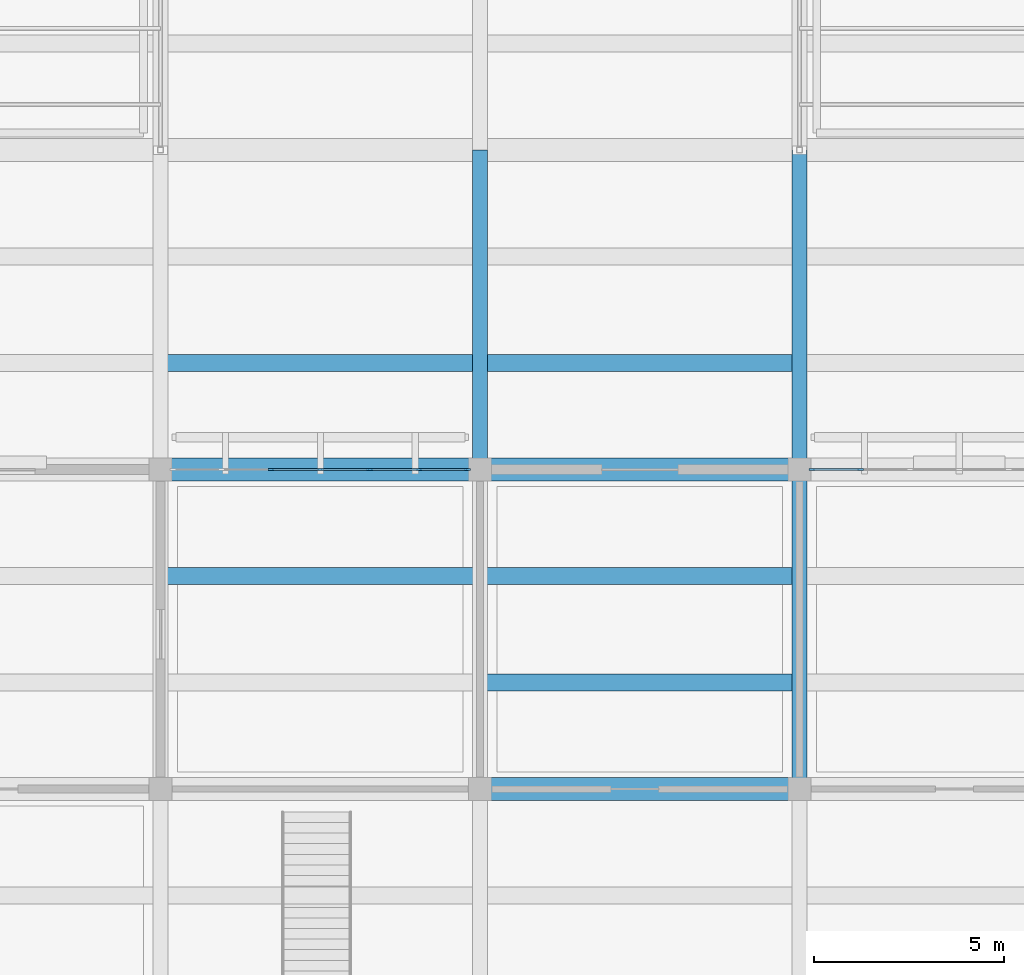
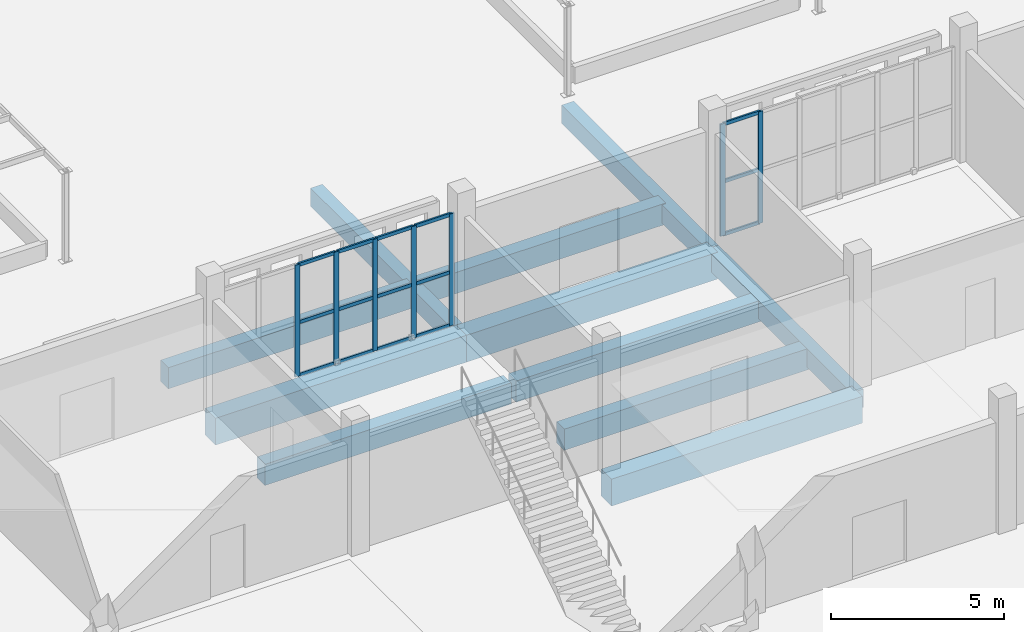
# One storey, part 10 of 129: 22 members, 11 beams, 2 elements without a shape of their own.
"""IFC4 building model written with IfcOpenShell, lengths in metres."""

import ifcopenshell
import ifcopenshell.guid

model = None  # the IFC model being written
_history = None  # IfcOwnerHistory: only IFC2X3 demands one
_inside = {}  # id of a spatial element -> (the spatial element, [elements in it])
_under = {}  # id of a project, library or spatial element -> (it, [spatial elements below it])
_declared = {}  # id of a project -> (the project, [libraries it declares])
_typed = {}  # id of a type object -> (the type object, [elements of that type])
_made_of = {}  # id of a material, layer set ... -> (it, [elements and type objects made of it])


def new_model(schema):
    """Start an empty IFC model of exactly this schema.

    Asked for "IFC4X3", IfcOpenShell would pick the latest addendum, in which some entities
    have other attributes; the version numbers below select the first issue.
    IFC2X3 requires an IfcOwnerHistory on every rooted entity: one is made here for all.
    """
    global model, _history
    if schema == "IFC4X3":
        model = ifcopenshell.file(schema_version=(4, 3, 0, 0))
    else:
        model = ifcopenshell.file(schema=schema)
    _inside.clear()
    _under.clear()
    _declared.clear()
    _typed.clear()
    _made_of.clear()
    _history = None
    if model.schema == "IFC2X3":
        org = make("IfcOrganization", Name="unknown")
        user = make(
            "IfcPersonAndOrganization",
            ThePerson=make("IfcPerson", FamilyName="unknown"),
            TheOrganization=org,
        )
        app = make(
            "IfcApplication",
            ApplicationDeveloper=org,
            Version="unknown",
            ApplicationFullName="unknown",
            ApplicationIdentifier="unknown",
        )
        _history = make(
            "IfcOwnerHistory",
            OwningUser=user,
            OwningApplication=app,
            ChangeAction="ADDED",
            CreationDate=0,
        )
    return model


def make(cls, **values):
    """One entity of the class cls with the attributes given. An attribute that is None is left unset."""
    return model.create_entity(
        cls, **{name: value for name, value in values.items() if value is not None}
    )


def rooted(cls, **values):
    """An entity with a GlobalId (a new one), such as an element, a storey or a relation."""
    return make(cls, GlobalId=ifcopenshell.guid.new(), OwnerHistory=_history, **values)


def si_unit(unit_type, name, prefix=None):
    """IfcSIUnit, for example si_unit("LENGTHUNIT", "METRE", prefix="MILLI")."""
    return make("IfcSIUnit", UnitType=unit_type, Prefix=prefix, Name=name)


def assignment(units):
    """IfcUnitAssignment: the units of a project."""
    return None if units is None else make("IfcUnitAssignment", Units=units)


def point(xyz):
    """IfcCartesianPoint."""
    return None if xyz is None else make("IfcCartesianPoint", Coordinates=xyz)


def direction(xyz):
    """IfcDirection."""
    return None if xyz is None else make("IfcDirection", DirectionRatios=xyz)


def frame(location, z_axis=None, x_axis=None):
    """IfcAxis2Placement3D, a coordinate frame: its origin and axes. An axis left out is left unset."""
    return make(
        "IfcAxis2Placement3D",
        Location=point(location),
        Axis=direction(z_axis),
        RefDirection=direction(x_axis),
    )


def frame_2d(location, x_axis=None):
    """IfcAxis2Placement2D, a coordinate frame in the plane: its origin and x axis."""
    return make(
        "IfcAxis2Placement2D", Location=point(location), RefDirection=direction(x_axis)
    )


def origin():
    """The frame at (0, 0, 0) with its axes left unset."""
    return frame((0.0, 0.0, 0.0))


def origin_2d():
    """The frame at (0, 0) in the plane with its x axis left unset."""
    return frame_2d((0.0, 0.0))


def place(relative_to, where):
    """IfcLocalPlacement: puts the frame where relative to a parent placement (None: the world)."""
    return make(
        "IfcLocalPlacement", PlacementRelTo=relative_to, RelativePlacement=where
    )


def context(
    kind, dimensions, precision=None, world=None, true_north=None, identifier=None
):
    """IfcGeometricRepresentationContext, for example the 3D "Model" context."""
    return make(
        "IfcGeometricRepresentationContext",
        ContextIdentifier=identifier,
        ContextType=kind,
        CoordinateSpaceDimension=dimensions,
        Precision=precision,
        WorldCoordinateSystem=world,
        TrueNorth=true_north,
    )


def subcontext(parent, identifier, kind, view, scale=None):
    """IfcGeometricRepresentationSubContext, for example "Body" below "Model"."""
    return make(
        "IfcGeometricRepresentationSubContext",
        ContextIdentifier=identifier,
        ContextType=kind,
        ParentContext=parent,
        TargetScale=scale,
        TargetView=view,
    )


def project(units=None, contexts=None):
    """IfcProject with its units and contexts."""
    return rooted(
        "IfcProject",
        Name="project",
        RepresentationContexts=contexts,
        UnitsInContext=assignment(units),
    )


def spatial(cls, under=None, at=None, **own):
    """A site, building, storey or space (cls), placed at a placement, below another one or the project."""
    s = rooted(cls, ObjectPlacement=at, **own)
    if under is not None:
        _under.setdefault(under.id(), (under, []))[1].append(s)
    return s


def profile(cls, at=None, kind="AREA", **sizes):
    """A parametric profile (cls). Its sizes go by their IFC names, for example OverallWidth=200.0."""
    return make(cls, ProfileType=kind, Position=at, **sizes)


def rectangle(**sizes):
    """IfcRectangleProfileDef."""
    return profile("IfcRectangleProfileDef", **sizes)


def extrude(swept, where, along, depth):
    """IfcExtrudedAreaSolid: the profile swept, set in the frame where, extruded along a direction by depth."""
    return make(
        "IfcExtrudedAreaSolid",
        SweptArea=swept,
        Position=where,
        ExtrudedDirection=direction(along),
        Depth=depth,
    )


def shape(context_of_items, identifier, shape_type, items):
    """IfcShapeRepresentation: the items that make up one representation, for example the "Body"."""
    return make(
        "IfcShapeRepresentation",
        ContextOfItems=context_of_items,
        RepresentationIdentifier=identifier,
        RepresentationType=shape_type,
        Items=items,
    )


def material(Name=None, Category=None):
    """IfcMaterial."""
    return make("IfcMaterial", Name=Name, Category=Category)


def layer(
    of_material, thickness, ventilated=None, Name=None, Category=None, Priority=None
):
    """IfcMaterialLayer: one layer of a wall or slab, of a material (None: an air gap)."""
    return make(
        "IfcMaterialLayer",
        Material=of_material,
        LayerThickness=thickness,
        IsVentilated=ventilated,
        Name=Name,
        Category=Category,
        Priority=Priority,
    )


def layer_set(layers, Name=None):
    """IfcMaterialLayerSet."""
    return make("IfcMaterialLayerSet", MaterialLayers=layers, LayerSetName=Name)


def material_profile(
    of_material, cross_section, Name=None, Category=None, Priority=None
):
    """IfcMaterialProfile: a cross section and its material."""
    return make(
        "IfcMaterialProfile",
        Name=Name,
        Material=of_material,
        Profile=cross_section,
        Priority=Priority,
        Category=Category,
    )


def profile_set(profiles, Name=None, composite=None):
    """IfcMaterialProfileSet."""
    return make(
        "IfcMaterialProfileSet",
        Name=Name,
        MaterialProfiles=profiles,
        CompositeProfile=composite,
    )


def made_of(thing, what):
    """Note that an element or type object is made of a material, layer set ...; save() writes the relation."""
    if what is not None:
        _made_of.setdefault(what.id(), (what, []))[1].append(thing)
    return thing


def type_object(cls, material=None, **own):
    """A type object (cls), such as IfcWallType, which elements share."""
    return made_of(rooted(cls, **own), material)


def element(
    cls,
    number,
    at=None,
    inside=None,
    cuts=None,
    type_object=None,
    material=None,
    context=None,
    identifier="Body",
    shape_type=None,
    held_by="IfcProductDefinitionShape",
    body=None,
    shapes=None,
    **own,
):
    """One element of the class cls, such as IfcWall. Its Tag is "e" and its number.

    at: its placement. inside: the storey or other place that contains it. cuts: it is an
    opening in that element (IfcRelVoidsElement). A single representation is given by context,
    identifier, shape_type and body (its items); several are given by shapes. held_by: the class
    of the entity that holds the representations. save() writes the other relations.
    """
    e = rooted(cls, Tag="e%d" % number, ObjectPlacement=at, **own)
    if body is not None:
        shapes = [shape(context, identifier, shape_type, body)]
    if shapes is not None:
        e.Representation = make(held_by, Representations=shapes)
    if inside is not None:
        _inside.setdefault(inside.id(), (inside, []))[1].append(e)
    if cuts is not None:
        rooted(
            "IfcRelVoidsElement", RelatingBuildingElement=cuts, RelatedOpeningElement=e
        )
    if type_object is not None:
        _typed.setdefault(type_object.id(), (type_object, []))[1].append(e)
    return made_of(e, material)


def aggregate(whole, parts):
    """IfcRelAggregates: a whole, such as a stair, and the parts it consists of."""
    return rooted("IfcRelAggregates", RelatingObject=whole, RelatedObjects=parts)


def save(model, path):
    """Write the relations noted so far, then the file.

    IfcRelAggregates (storeys below a building ...), IfcRelContainedInSpatialStructure (elements
    in a storey), IfcRelDefinesByType, IfcRelAssociatesMaterial and IfcRelDeclares: one each for
    every whole, place, type object, material and project.
    """
    for whole, parts in _under.values():
        aggregate(whole, parts)
    for where, things in _inside.values():
        rooted(
            "IfcRelContainedInSpatialStructure",
            RelatedElements=things,
            RelatingStructure=where,
        )
    for kind, things in _typed.values():
        rooted("IfcRelDefinesByType", RelatedObjects=things, RelatingType=kind)
    for what, things in _made_of.values():
        rooted("IfcRelAssociatesMaterial", RelatedObjects=things, RelatingMaterial=what)
    for by, libraries in _declared.values():
        rooted("IfcRelDeclares", RelatingContext=by, RelatedDefinitions=libraries)
    model.write(path)


model = new_model("IFC4")

# Units and contexts
model_context = context("Model", 3, precision=1e-05, world=origin(), true_north=direction((0.0, 1.0)))
body_context = subcontext(model_context, "Body", "Model", "MODEL_VIEW")
ifc_project = project(units=[si_unit("LENGTHUNIT", "METRE"), si_unit("AREAUNIT", "SQUARE_METRE"), si_unit("VOLUMEUNIT", "CUBIC_METRE"), si_unit("PLANEANGLEUNIT", "RADIAN"), si_unit("MASSUNIT", "GRAM", prefix="KILO")], contexts=[model_context])

# Site, building, storey
site_placement = place(None, origin())
site = spatial("IfcSite", under=ifc_project, at=site_placement, CompositionType="ELEMENT")
building_placement = place(site_placement, origin())
building = spatial("IfcBuilding", under=site, at=building_placement, Name="Varnapada Polytechnic", CompositionType="ELEMENT")
storey_placement = place(building_placement, origin())
storey = spatial("IfcBuildingStorey", under=building, at=storey_placement, Name="L00", CompositionType="ELEMENT", Elevation=0.0)

# Beams
ifc_material_1 = material(Name="Concrete C40/50", Category="concrete")
ifc_material_profile_1 = material_profile(ifc_material_1, rectangle(XDim=0.449951171875, YDim=0.75, at=origin_2d()), Name="RC 450x750")
ifc_profile_set_1 = profile_set([ifc_material_profile_1], Name="Concrete C40/50")
beam_type_1 = type_object("IfcBeamType", Name="Basement/podium secondary beam BB-01 (RC 450x750)", PredefinedType="BEAM", material=ifc_profile_set_1)
for number, where, z_axis, x_axis, name in (
    (1, (75.679931640625, 39.199951171875, -0.675048828125), (1.0, 0.0, 0.0), (0.0, 1.0, 0.0), "L00 floor joist 10/5.2"),
    (2, (75.679931640625, 44.800048828125, -0.655029296875), (1.0, 0.0, 0.0), (0.0, 1.0, 0.0), "L00 floor joist 10/6.1"),
    (3, (84.080078125, 36.39990234375, -0.675048828125), (1.0, 0.0, 0.0), (0.0, 1.0, 0.0), "L00 floor joist 11/5.1"),
    (4, (84.080078125, 39.199951171875, -0.675048828125), (1.0, 0.0, 0.0), (0.0, 1.0, 0.0), "L00 floor joist 11/5.2"),
    (5, (84.080078125, 44.800048828125, -0.655029296875), (1.0, 0.0, 0.0), (0.0, 1.0, 0.0), "L00 floor joist 11/6.1"),
):
    element("IfcBeam", number, at=place(storey_placement, frame(where, z_axis=z_axis, x_axis=x_axis)), inside=storey, type_object=beam_type_1, Name=name, PredefinedType="BEAM", context=body_context, shape_type="SweptSolid", body=[
        extrude(rectangle(XDim=0.449951171875, YDim=0.75, at=origin_2d()), origin(), (0.0, 0.0, 1.0), 8.239990234375),
    ])

# Curtain wall, members
ifc_material_2 = material(Name="Double low-E laminated glass", Category="glass")
ifc_layer = layer(ifc_material_2, 0.159912109375)
ifc_layer_set = layer_set([ifc_layer], Name="Double low-E laminated glass")
curtain_wall_type = type_object("IfcCurtainWallType", Name="Curtain Wall CW-01", PredefinedType="NOTDEFINED", material=ifc_layer_set)
curtain_wall_1_placement = place(storey_placement, origin())
curtain_wall_1 = element("IfcCurtainWall", 6, at=curtain_wall_1_placement, inside=storey, type_object=curtain_wall_type, Name="L00 unitised curtain wall CW-01 (8)", PredefinedType="NOTDEFINED")
ifc_material_3 = material(Name="Anodised aluminium", Category="aluminium")
ifc_material_profile_2 = material_profile(ifc_material_3, rectangle(XDim=0.06005859375, YDim=0.159912109375, at=origin_2d()), Name="ALU M60x160")
ifc_profile_set_2 = profile_set([ifc_material_profile_2], Name="Anodised aluminium")
member_type_1 = type_object("IfcMemberType", Name="Mullion M-01", PredefinedType="MULLION", material=ifc_profile_set_2)
member_1_placement = place(storey_placement, frame((78.5, 42.0, 0.0), z_axis=(0.0, 0.0, 1.0), x_axis=(0.0, 1.0, 0.0)))
member_1 = element("IfcMember", 7, at=member_1_placement, type_object=member_type_1, Name="CW-01 mullion 3", PredefinedType="MULLION", context=body_context, shape_type="SweptSolid", body=[
    extrude(rectangle(XDim=0.06005859375, YDim=0.159912109375, at=origin_2d()), origin(), (0.0, 0.0, 1.0), 3.9599609375),
])
member_2_placement = place(storey_placement, frame((79.800048828125, 42.0, 0.0), z_axis=(0.0, 0.0, 1.0), x_axis=(0.0, 1.0, 0.0)))
member_2 = element("IfcMember", 8, at=member_2_placement, type_object=member_type_1, Name="CW-01 mullion 4", PredefinedType="MULLION", context=body_context, shape_type="SweptSolid", body=[
    extrude(rectangle(XDim=0.06005859375, YDim=0.159912109375, at=origin_2d()), origin(), (0.0, 0.0, 1.0), 3.9599609375),
])
member_3_placement = place(storey_placement, frame((81.10009765625, 42.0, 0.0), z_axis=(0.0, 0.0, 1.0), x_axis=(0.0, 1.0, 0.0)))
member_3 = element("IfcMember", 9, at=member_3_placement, type_object=member_type_1, Name="CW-01 mullion 5", PredefinedType="MULLION", context=body_context, shape_type="SweptSolid", body=[
    extrude(rectangle(XDim=0.06005859375, YDim=0.159912109375, at=origin_2d()), origin(), (0.0, 0.0, 1.0), 3.9599609375),
])
member_4_placement = place(storey_placement, frame((82.39990234375, 42.0, 0.0), z_axis=(0.0, 0.0, 1.0), x_axis=(0.0, 1.0, 0.0)))
member_4 = element("IfcMember", 10, at=member_4_placement, type_object=member_type_1, Name="CW-01 mullion 6", PredefinedType="MULLION", context=body_context, shape_type="SweptSolid", body=[
    extrude(rectangle(XDim=0.06005859375, YDim=0.159912109375, at=origin_2d()), origin(), (0.0, 0.0, 1.0), 3.9599609375),
])
member_5_placement = place(storey_placement, frame((83.669921875, 42.0, 0.0), z_axis=(0.0, 0.0, 1.0), x_axis=(0.0, 1.0, 0.0)))
member_5 = element("IfcMember", 11, at=member_5_placement, type_object=member_type_1, Name="CW-01 mullion 7", PredefinedType="MULLION", context=body_context, shape_type="SweptSolid", body=[
    extrude(rectangle(XDim=0.06005859375, YDim=0.159912109375, at=origin_2d()), origin(), (0.0, 0.0, 1.0), 3.9599609375),
])

curtain_wall_2_placement = place(storey_placement, origin())
curtain_wall_2 = element("IfcCurtainWall", 12, at=curtain_wall_2_placement, inside=storey, type_object=curtain_wall_type, Name="L00 unitised curtain wall CW-01 (10)", PredefinedType="NOTDEFINED")
member_6_placement = place(storey_placement, frame((92.72998046875, 42.0, 0.0), z_axis=(0.0, 0.0, 1.0), x_axis=(0.0, 1.0, 0.0)))
member_6 = element("IfcMember", 13, at=member_6_placement, type_object=member_type_1, Name="CW-01 mullion 1", PredefinedType="MULLION", context=body_context, shape_type="SweptSolid", body=[
    extrude(rectangle(XDim=0.06005859375, YDim=0.159912109375, at=origin_2d()), origin(), (0.0, 0.0, 1.0), 3.9599609375),
])
member_7_placement = place(storey_placement, frame((94.0, 42.0, 0.0), z_axis=(0.0, 0.0, 1.0), x_axis=(0.0, 1.0, 0.0)))
member_7 = element("IfcMember", 14, at=member_7_placement, type_object=member_type_1, Name="CW-01 mullion 2", PredefinedType="MULLION", context=body_context, shape_type="SweptSolid", body=[
    extrude(rectangle(XDim=0.06005859375, YDim=0.159912109375, at=origin_2d()), origin(), (0.0, 0.0, 1.0), 3.9599609375),
])

# Beams
ifc_material_profile_3 = material_profile(ifc_material_1, rectangle(XDim=0.39990234375, YDim=0.64990234375, at=origin_2d()), Name="RC 400x650")
ifc_profile_set_3 = profile_set([ifc_material_profile_3], Name="Concrete C40/50")
beam_type_2 = type_object("IfcBeamType", Name="Podium framing beam BB-02 (RC 400x650)", PredefinedType="BEAM", material=ifc_profile_set_3)
for number, where, z_axis, x_axis, name in (
    (15, (84.0, 42.0, -0.625), (0.0, 1.0, 0.0), (-1.0, 0.0, 0.0), "L00 beam Y 6-7 at X11"),
    (16, (92.39990234375, 33.60009765625, -0.625), (0.0, 1.0, 0.0), (-1.0, 0.0, 0.0), "L00 beam Y 5-6 at X12"),
    (17, (92.39990234375, 42.0, -0.625), (0.0, 1.0, 0.0), (-1.0, 0.0, 0.0), "L00 beam Y 6-7 at X12"),
):
    element("IfcBeam", number, at=place(storey_placement, frame(where, z_axis=z_axis, x_axis=x_axis)), inside=storey, type_object=beam_type_2, Name=name, PredefinedType="BEAM", context=body_context, shape_type="SweptSolid", body=[
        extrude(rectangle(XDim=0.39990234375, YDim=0.64990234375, at=origin_2d()), origin(), (0.0, 0.0, 1.0), 8.39990234375),
    ])

# Member
ifc_material_profile_4 = material_profile(ifc_material_3, rectangle(XDim=0.06005859375, YDim=0.1201171875, at=origin_2d()), Name="ALU T60x120")
ifc_profile_set_4 = profile_set([ifc_material_profile_4], Name="Anodised aluminium")
member_type_2 = type_object("IfcMemberType", Name="Transom T-01", PredefinedType="USERDEFINED", material=ifc_profile_set_4)
member_8_placement = place(storey_placement, frame((78.530029296875, 42.0, 0.030029296875), z_axis=(1.0, 0.0, 0.0), x_axis=(0.0, 1.0, 0.0)))
member_8 = element("IfcMember", 18, at=member_8_placement, type_object=member_type_2, Name="CW-01 transom 3.1", ObjectType="TRANSOM", PredefinedType="USERDEFINED", context=body_context, shape_type="SweptSolid", body=[
    extrude(rectangle(XDim=0.06005859375, YDim=0.1201171875, at=origin_2d()), origin(), (0.0, 0.0, 1.0), 1.239990234375),
])

member_9_placement = place(storey_placement, frame((78.530029296875, 42.0, 1.90087890625), z_axis=(1.0, 0.0, 0.0), x_axis=(0.0, 1.0, 0.0)))
member_9 = element("IfcMember", 19, at=member_9_placement, type_object=member_type_2, Name="CW-01 transom 3.2", ObjectType="TRANSOM", PredefinedType="USERDEFINED", context=body_context, shape_type="SweptSolid", body=[
    extrude(rectangle(XDim=0.06005859375, YDim=0.1201171875, at=origin_2d()), origin(), (0.0, 0.0, 1.0), 1.239990234375),
])

member_10_placement = place(storey_placement, frame((78.530029296875, 42.0, 3.929931640625), z_axis=(1.0, 0.0, 0.0), x_axis=(0.0, 1.0, 0.0)))
member_10 = element("IfcMember", 20, at=member_10_placement, type_object=member_type_2, Name="CW-01 transom 3.3", ObjectType="TRANSOM", PredefinedType="USERDEFINED", context=body_context, shape_type="SweptSolid", body=[
    extrude(rectangle(XDim=0.06005859375, YDim=0.1201171875, at=origin_2d()), origin(), (0.0, 0.0, 1.0), 1.239990234375),
])

member_11_placement = place(storey_placement, frame((79.830078125, 42.0, 0.030029296875), z_axis=(1.0, 0.0, 0.0), x_axis=(0.0, 1.0, 0.0)))
member_11 = element("IfcMember", 21, at=member_11_placement, type_object=member_type_2, Name="CW-01 transom 4.1", ObjectType="TRANSOM", PredefinedType="USERDEFINED", context=body_context, shape_type="SweptSolid", body=[
    extrude(rectangle(XDim=0.06005859375, YDim=0.1201171875, at=origin_2d()), origin(), (0.0, 0.0, 1.0), 1.239990234375),
])

member_12_placement = place(storey_placement, frame((79.830078125, 42.0, 1.90087890625), z_axis=(1.0, 0.0, 0.0), x_axis=(0.0, 1.0, 0.0)))
member_12 = element("IfcMember", 22, at=member_12_placement, type_object=member_type_2, Name="CW-01 transom 4.2", ObjectType="TRANSOM", PredefinedType="USERDEFINED", context=body_context, shape_type="SweptSolid", body=[
    extrude(rectangle(XDim=0.06005859375, YDim=0.1201171875, at=origin_2d()), origin(), (0.0, 0.0, 1.0), 1.239990234375),
])

member_13_placement = place(storey_placement, frame((79.830078125, 42.0, 3.929931640625), z_axis=(1.0, 0.0, 0.0), x_axis=(0.0, 1.0, 0.0)))
member_13 = element("IfcMember", 23, at=member_13_placement, type_object=member_type_2, Name="CW-01 transom 4.3", ObjectType="TRANSOM", PredefinedType="USERDEFINED", context=body_context, shape_type="SweptSolid", body=[
    extrude(rectangle(XDim=0.06005859375, YDim=0.1201171875, at=origin_2d()), origin(), (0.0, 0.0, 1.0), 1.239990234375),
])

member_14_placement = place(storey_placement, frame((81.1298828125, 42.0, 0.030029296875), z_axis=(1.0, 0.0, 0.0), x_axis=(0.0, 1.0, 0.0)))
member_14 = element("IfcMember", 24, at=member_14_placement, type_object=member_type_2, Name="CW-01 transom 5.1", ObjectType="TRANSOM", PredefinedType="USERDEFINED", context=body_context, shape_type="SweptSolid", body=[
    extrude(rectangle(XDim=0.06005859375, YDim=0.1201171875, at=origin_2d()), origin(), (0.0, 0.0, 1.0), 1.240234375),
])

member_15_placement = place(storey_placement, frame((81.1298828125, 42.0, 1.90087890625), z_axis=(1.0, 0.0, 0.0), x_axis=(0.0, 1.0, 0.0)))
member_15 = element("IfcMember", 25, at=member_15_placement, type_object=member_type_2, Name="CW-01 transom 5.2", ObjectType="TRANSOM", PredefinedType="USERDEFINED", context=body_context, shape_type="SweptSolid", body=[
    extrude(rectangle(XDim=0.06005859375, YDim=0.1201171875, at=origin_2d()), origin(), (0.0, 0.0, 1.0), 1.240234375),
])

member_16_placement = place(storey_placement, frame((81.1298828125, 42.0, 3.929931640625), z_axis=(1.0, 0.0, 0.0), x_axis=(0.0, 1.0, 0.0)))
member_16 = element("IfcMember", 26, at=member_16_placement, type_object=member_type_2, Name="CW-01 transom 5.3", ObjectType="TRANSOM", PredefinedType="USERDEFINED", context=body_context, shape_type="SweptSolid", body=[
    extrude(rectangle(XDim=0.06005859375, YDim=0.1201171875, at=origin_2d()), origin(), (0.0, 0.0, 1.0), 1.240234375),
])

member_17_placement = place(storey_placement, frame((82.429931640625, 42.0, 0.030029296875), z_axis=(1.0, 0.0, 0.0), x_axis=(0.0, 1.0, 0.0)))
member_17 = element("IfcMember", 27, at=member_17_placement, type_object=member_type_2, Name="CW-01 transom 6.1", ObjectType="TRANSOM", PredefinedType="USERDEFINED", context=body_context, shape_type="SweptSolid", body=[
    extrude(rectangle(XDim=0.06005859375, YDim=0.1201171875, at=origin_2d()), origin(), (0.0, 0.0, 1.0), 1.2099609375),
])

member_18_placement = place(storey_placement, frame((82.429931640625, 42.0, 1.90087890625), z_axis=(1.0, 0.0, 0.0), x_axis=(0.0, 1.0, 0.0)))
member_18 = element("IfcMember", 28, at=member_18_placement, type_object=member_type_2, Name="CW-01 transom 6.2", ObjectType="TRANSOM", PredefinedType="USERDEFINED", context=body_context, shape_type="SweptSolid", body=[
    extrude(rectangle(XDim=0.06005859375, YDim=0.1201171875, at=origin_2d()), origin(), (0.0, 0.0, 1.0), 1.2099609375),
])

member_19_placement = place(storey_placement, frame((82.429931640625, 42.0, 3.929931640625), z_axis=(1.0, 0.0, 0.0), x_axis=(0.0, 1.0, 0.0)))
member_19 = element("IfcMember", 29, at=member_19_placement, type_object=member_type_2, Name="CW-01 transom 6.3", ObjectType="TRANSOM", PredefinedType="USERDEFINED", context=body_context, shape_type="SweptSolid", body=[
    extrude(rectangle(XDim=0.06005859375, YDim=0.1201171875, at=origin_2d()), origin(), (0.0, 0.0, 1.0), 1.2099609375),
])

aggregate(curtain_wall_1, [member_1, member_2, member_3, member_4, member_5, member_8, member_9, member_10, member_11, member_12, member_13, member_14, member_15, member_16, member_17, member_18, member_19])

member_20_placement = place(storey_placement, frame((92.760009765625, 42.0, 0.030029296875), z_axis=(1.0, 0.0, 0.0), x_axis=(0.0, 1.0, 0.0)))
member_20 = element("IfcMember", 30, at=member_20_placement, type_object=member_type_2, Name="CW-01 transom 1.1", ObjectType="TRANSOM", PredefinedType="USERDEFINED", context=body_context, shape_type="SweptSolid", body=[
    extrude(rectangle(XDim=0.06005859375, YDim=0.1201171875, at=origin_2d()), origin(), (0.0, 0.0, 1.0), 1.2099609375),
])

member_21_placement = place(storey_placement, frame((92.760009765625, 42.0, 1.90087890625), z_axis=(1.0, 0.0, 0.0), x_axis=(0.0, 1.0, 0.0)))
member_21 = element("IfcMember", 31, at=member_21_placement, type_object=member_type_2, Name="CW-01 transom 1.2", ObjectType="TRANSOM", PredefinedType="USERDEFINED", context=body_context, shape_type="SweptSolid", body=[
    extrude(rectangle(XDim=0.06005859375, YDim=0.1201171875, at=origin_2d()), origin(), (0.0, 0.0, 1.0), 1.2099609375),
])

member_22_placement = place(storey_placement, frame((92.760009765625, 42.0, 3.929931640625), z_axis=(1.0, 0.0, 0.0), x_axis=(0.0, 1.0, 0.0)))
member_22 = element("IfcMember", 32, at=member_22_placement, type_object=member_type_2, Name="CW-01 transom 1.3", ObjectType="TRANSOM", PredefinedType="USERDEFINED", context=body_context, shape_type="SweptSolid", body=[
    extrude(rectangle(XDim=0.06005859375, YDim=0.1201171875, at=origin_2d()), origin(), (0.0, 0.0, 1.0), 1.2099609375),
])

aggregate(curtain_wall_2, [member_6, member_7, member_20, member_21, member_22])

# Beams
ifc_material_profile_5 = material_profile(ifc_material_1, rectangle(XDim=0.60009765625, YDim=0.949951171875, at=origin_2d()), Name="RC 600x950")
ifc_profile_set_5 = profile_set([ifc_material_profile_5], Name="Concrete C40/50")
beam_type_3 = type_object("IfcBeamType", Name="Workshop podium heavy girder BG-03 (RC 600x950)", PredefinedType="T_BEAM", material=ifc_profile_set_5)
for number, where, z_axis, x_axis, name in (
    (33, (75.60009765625, 42.0, -0.77490234375), (1.0, 0.0, 0.0), (0.0, 1.0, 0.0), "L00 beam X 10-11 at Y6"),
    (34, (84.0, 33.60009765625, -0.77490234375), (1.0, 0.0, 0.0), (0.0, 1.0, 0.0), "L00 beam X 11-12 at Y5"),
    (35, (84.0, 42.0, -0.77490234375), (1.0, 0.0, 0.0), (0.0, 1.0, 0.0), "L00 beam X 11-12 at Y6"),
):
    element("IfcBeam", number, at=place(storey_placement, frame(where, z_axis=z_axis, x_axis=x_axis)), inside=storey, type_object=beam_type_3, Name=name, PredefinedType="T_BEAM", context=body_context, shape_type="SweptSolid", body=[
        extrude(rectangle(XDim=0.60009765625, YDim=0.949951171875, at=origin_2d()), origin(), (0.0, 0.0, 1.0), 8.39990234375),
    ])

save(model, "model.ifc")
